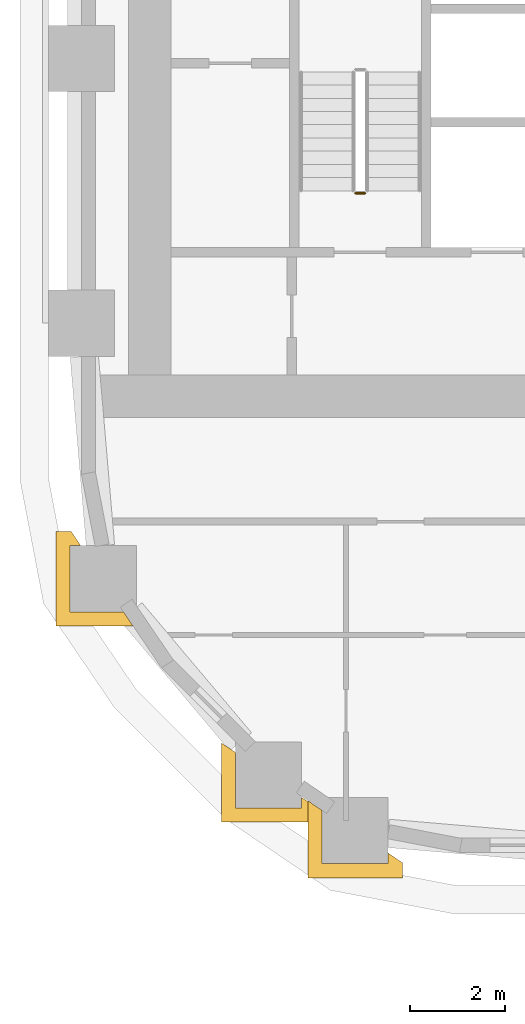
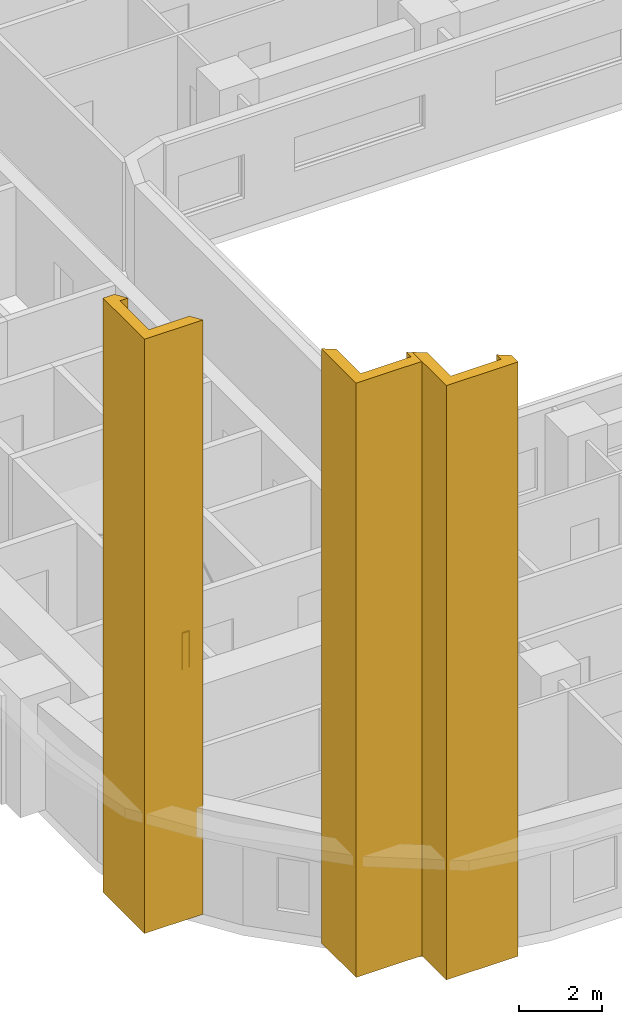
# One storey, part 11 of 22: 3 coverings, 1 railing.
"""IFC4 building model written with IfcOpenShell, lengths in metres."""

from ifc_helpers import new_model, si_unit, direction, frame, origin, origin_2d, place, context, subcontext, project, spatial, polyline, circle, outline, extrude, material, layer, layer_set, type_object, element, save


model = new_model("IFC4")

# Units and contexts
model_context = context("Model", 3, precision=1e-05, world=origin(), true_north=direction((0.0, 1.0)))
body_context = subcontext(model_context, "Body", "Model", "MODEL_VIEW")
ifc_project = project(units=[si_unit("LENGTHUNIT", "METRE"), si_unit("AREAUNIT", "SQUARE_METRE"), si_unit("VOLUMEUNIT", "CUBIC_METRE"), si_unit("PLANEANGLEUNIT", "RADIAN"), si_unit("MASSUNIT", "GRAM", prefix="KILO")], contexts=[model_context])

# Site, building, storey
site_placement = place(None, origin())
site = spatial("IfcSite", under=ifc_project, at=site_placement, CompositionType="ELEMENT")
building_placement = place(site_placement, origin())
building = spatial("IfcBuilding", under=site, at=building_placement, Name="Kiln Ring Residences", CompositionType="ELEMENT")
storey_placement = place(building_placement, frame((0.0, 0.0, 55.0)))
storey = spatial("IfcBuildingStorey", under=building, at=storey_placement, Name="L13", CompositionType="ELEMENT", Elevation=55.0)

# Railing
ifc_material_1 = material(Name="Stainless steel", Category="steel")
railing_type = type_object("IfcRailingType", Name="CORE-STAIR-GUARD", PredefinedType="GUARDRAIL", material=ifc_material_1)
railing_placement = place(storey_placement, frame((-22.0, -8.449951171875, 0.0)))
element("IfcRailing", 1, at=railing_placement, inside=storey, type_object=railing_type, Name="L13 W-STS stair guard 4", PredefinedType="GUARDRAIL", context=body_context, shape_type="SweptSolid", body=[
    extrude(circle(Radius=0.02392578125, at=origin_2d()), frame((0.0, 0.0, 1.076171875), z_axis=(-1.0, 0.0, 0.0), x_axis=(0.0, -1.0, 0.0)), (0.0, 0.0, 1.0), 0.199951171875),
    extrude(circle(Radius=0.02099609375, at=origin_2d()), origin(), (0.0, 0.0, 1.0), 1.052001953125),
    extrude(circle(Radius=0.02099609375, at=origin_2d()), frame((-0.199951171875, 0.0, 0.0)), (0.0, 0.0, 1.0), 1.052001953125),
])

# Coverings
ifc_material_2 = material(Name="Brick masonry, dark clay brick", Category="masonry")
ifc_layer = layer(ifc_material_2, 0.300048828125)
ifc_layer_set = layer_set([ifc_layer], Name="PIER CLADDING 300")
covering_type = type_object("IfcCoveringType", Name="PIER CLADDING 300", PredefinedType="CLADDING", material=ifc_layer_set)
placement = place(storey_placement, origin())
element("IfcCovering", 2, at=placement, inside=storey, type_object=covering_type, Name="PIER CLADDING L13-L17", PredefinedType="CLADDING", context=body_context, shape_type="SweptSolid", body=[
    extrude(outline(polyline([(-22.90869140625, -22.63818359375), (-22.90869140625, -21.510498046875), (-23.208740234375, -21.306640625), (-23.208740234375, -22.93798828125), (-21.208740234375, -22.93798828125), (-21.208740234375, -22.61767578125), (-21.5087890625, -22.413818359375), (-21.5087890625, -22.63818359375), (-22.90869140625, -22.63818359375)])), origin(), (0.0, 0.0, 1.0), 17.5),
])
element("IfcCovering", 3, at=placement, inside=storey, type_object=covering_type, Name="PIER CLADDING L13-L17", PredefinedType="CLADDING", context=body_context, shape_type="SweptSolid", body=[
    extrude(outline(polyline([(-28.2177734375, -15.608642578125), (-28.5380859375, -15.608642578125), (-28.5380859375, -17.608642578125), (-26.906494140625, -17.608642578125), (-27.110595703125, -17.30859375), (-28.238037109375, -17.30859375), (-28.238037109375, -15.90869140625), (-28.013916015625, -15.90869140625), (-28.2177734375, -15.608642578125)])), origin(), (0.0, 0.0, 1.0), 17.5),
])
element("IfcCovering", 4, at=placement, inside=storey, type_object=covering_type, Name="PIER CLADDING L13-L17", PredefinedType="CLADDING", context=body_context, shape_type="SweptSolid", body=[
    extrude(outline(polyline([(-24.740234375, -20.2841796875), (-25.040283203125, -20.080078125), (-25.040283203125, -21.759765625), (-23.040283203125, -21.759765625), (-23.040283203125, -21.439453125), (-23.340087890625, -21.235595703125), (-23.340087890625, -21.459716796875), (-24.740234375, -21.459716796875), (-24.740234375, -20.2841796875)])), origin(), (0.0, 0.0, 1.0), 17.5),
])

save(model, "model.ifc")
